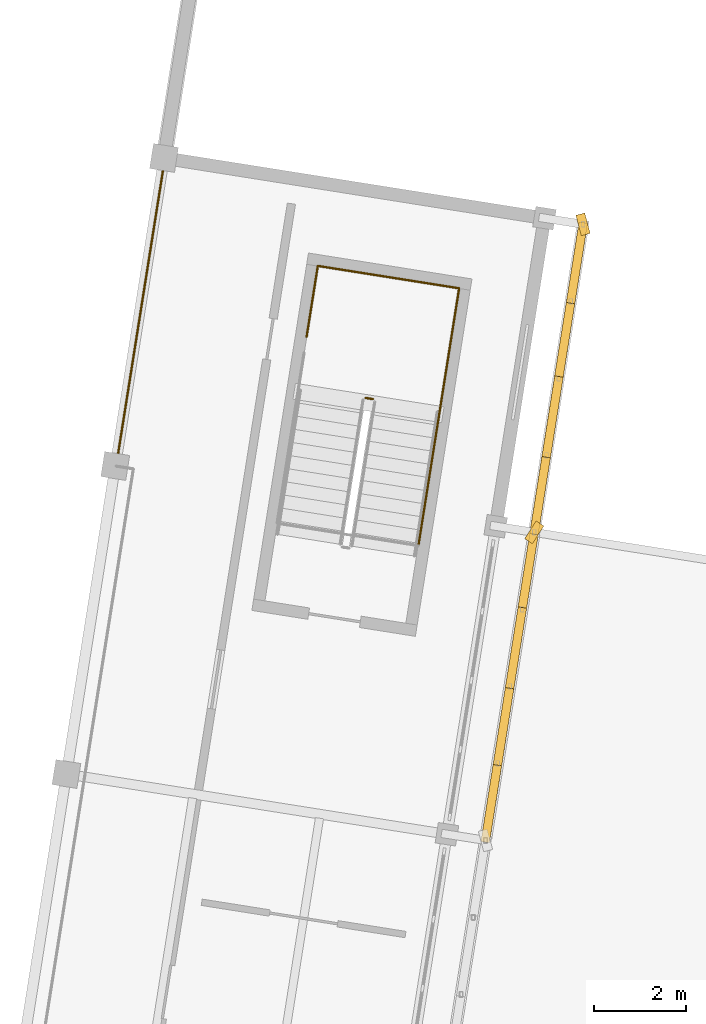
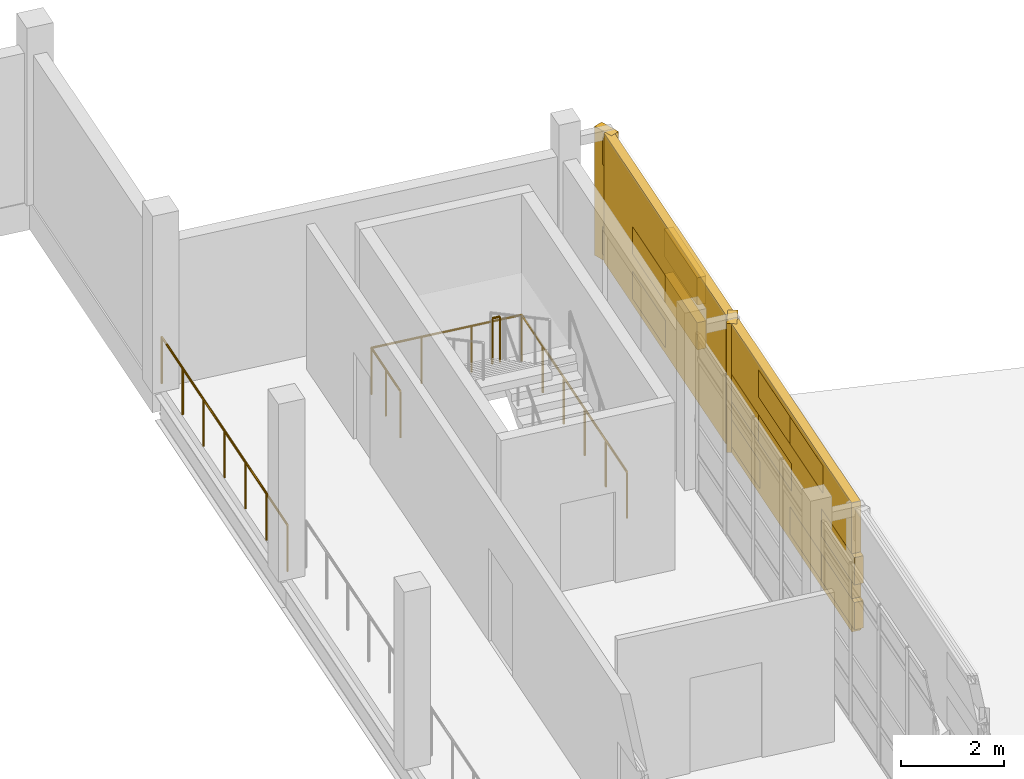
# One storey, part 136 of 137: 18 coverings, 5 railings, 2 shading devices.
"""IFC4 building model written with IfcOpenShell, lengths in metres."""

from ifc_helpers import new_model, si_unit, direction, frame, origin, origin_2d, place, context, subcontext, project, spatial, rectangle, circle, extrude, material, layer, layer_set, type_object, element, save


model = new_model("IFC4")

# Units and contexts
model_context = context("Model", 3, precision=1e-05, world=origin(), true_north=direction((0.0, 1.0)))
body_context = subcontext(model_context, "Body", "Model", "MODEL_VIEW")
ifc_project = project(units=[si_unit("LENGTHUNIT", "METRE"), si_unit("AREAUNIT", "SQUARE_METRE"), si_unit("VOLUMEUNIT", "CUBIC_METRE"), si_unit("PLANEANGLEUNIT", "RADIAN"), si_unit("MASSUNIT", "GRAM", prefix="KILO")], contexts=[model_context])

# Site, building, storey
site_placement = place(None, origin())
site = spatial("IfcSite", under=ifc_project, at=site_placement, CompositionType="ELEMENT")
building_placement = place(site_placement, origin())
building = spatial("IfcBuilding", under=site, at=building_placement, Name="Cinderway Yard Community Centre", CompositionType="ELEMENT")
storey_placement = place(building_placement, frame((0.0, 0.0, 4.800048828125)))
storey = spatial("IfcBuildingStorey", under=building, at=storey_placement, Name="L01", CompositionType="ELEMENT", Elevation=4.800048828125)

# Coverings
ifc_material_1 = material(Name="Brick Masonry", Category="masonry")
ifc_layer = layer(ifc_material_1, 0.18994140625, Name="Brick Masonry")
ifc_layer_set = layer_set([ifc_layer], Name="Brick Masonry")
covering_type = type_object("IfcCoveringType", Name="ENV-COV-BRK-SCREEN", PredefinedType="CLADDING", material=ifc_layer_set)
for number, where, z_axis, x_axis, name in (
    (1, (152.72607421875, 60.0390625, 0.64990234375), (0.0, 0.0, 1.0), (-0.544639035015, -0.838670567945, 0.0), "Deconstructivist folded brick fin 1341"),
    (2, (153.7890625, 66.7548828125, 0.64990234375), (0.0, 0.0, 1.0), (0.258819045103, -0.965925826289, 0.0), "Deconstructivist folded brick fin 1342"),
):
    element("IfcCovering", number, at=place(storey_placement, frame(where, z_axis=z_axis, x_axis=x_axis)), inside=storey, type_object=covering_type, Name=name, PredefinedType="CLADDING", context=body_context, shape_type="SweptSolid", body=[
        extrude(rectangle(XDim=0.4599609375, YDim=0.199951171875, at=origin_2d()), origin(), (0.0, 0.0, 1.0), 3.050048828125),
    ])
for number, where, z_axis, x_axis, name in (
    (3, (151.794921875, 54.1630859375, 0.7900390625), (0.0, 0.0, 1.0), (-0.15643446504, -0.987688340595, 0.0), "Open-bond perforated brick screen course 01359"),
    (4, (152.06103515625, 55.842041015625, 0.7900390625), (0.0, 0.0, 1.0), (-0.15643446504, -0.987688340595, 0.0), "Open-bond perforated brick screen course 01360"),
    (5, (152.593017578125, 59.199951171875, 0.7900390625), (0.0, 0.0, 1.0), (-0.15643446504, -0.987688340595, 0.0), "Open-bond perforated brick screen course 01361"),
    (6, (151.794921875, 54.1630859375, 1.85205078125), (0.0, 0.0, 1.0), (-0.15643446504, -0.987688340595, 0.0), "Open-bond perforated brick screen course 01362"),
    (7, (152.326904296875, 57.52001953125, 1.85205078125), (0.0, 0.0, 1.0), (-0.15643446504, -0.987688340595, 0.0), "Open-bond perforated brick screen course 01363"),
    (8, (152.593017578125, 59.199951171875, 1.85205078125), (0.0, 0.0, 1.0), (-0.15643446504, -0.987688340595, 0.0), "Open-bond perforated brick screen course 01364"),
    (9, (152.06103515625, 55.842041015625, 2.9140625), (0.0, 0.0, 1.0), (-0.15643446504, -0.987688340595, 0.0), "Open-bond perforated brick screen course 01365"),
    (10, (152.326904296875, 57.52001953125, 2.9140625), (0.0, 0.0, 1.0), (-0.15643446504, -0.987688340595, 0.0), "Open-bond perforated brick screen course 01366"),
    (11, (152.85888671875, 60.87890625, 0.7900390625), (0.0, 0.0, 1.0), (-0.15643446504, -0.987688340595, 0.0), "Open-bond perforated brick screen course 01367"),
    (12, (153.389892578125, 64.236083984375, 0.7900390625), (0.0, 0.0, 1.0), (-0.15643446504, -0.987688340595, 0.0), "Open-bond perforated brick screen course 01368"),
    (13, (153.656005859375, 65.9150390625, 0.7900390625), (0.0, 0.0, 1.0), (-0.15643446504, -0.987688340595, 0.0), "Open-bond perforated brick screen course 01369"),
    (14, (153.125, 62.556884765625, 1.85205078125), (0.0, 0.0, 1.0), (-0.15643446504, -0.987688340595, 0.0), "Open-bond perforated brick screen course 01370"),
    (15, (153.389892578125, 64.236083984375, 1.85205078125), (0.0, 0.0, 1.0), (-0.15643446504, -0.987688340595, 0.0), "Open-bond perforated brick screen course 01371"),
    (16, (152.85888671875, 60.87890625, 2.9140625), (0.0, 0.0, 1.0), (-0.15643446504, -0.987688340595, 0.0), "Open-bond perforated brick screen course 01372"),
    (17, (153.125, 62.556884765625, 2.9140625), (0.0, 0.0, 1.0), (-0.15643446504, -0.987688340595, 0.0), "Open-bond perforated brick screen course 01373"),
    (18, (153.656005859375, 65.9150390625, 2.9140625), (0.0, 0.0, 1.0), (-0.15643446504, -0.987688340595, 0.0), "Open-bond perforated brick screen course 01374"),
):
    element("IfcCovering", number, at=place(storey_placement, frame(where, z_axis=z_axis, x_axis=x_axis)), inside=storey, type_object=covering_type, Name=name, PredefinedType="CLADDING", context=body_context, shape_type="SweptSolid", body=[
        extrude(rectangle(XDim=1.780029296875, YDim=0.18994140625, at=origin_2d()), origin(), (0.0, 0.0, 1.0), 0.64599609375),
    ])

# Shading devices
shading_device_type = type_object("IfcShadingDeviceType", Name="ENV-SHD-BRICKSCREEN-A", PredefinedType="USERDEFINED", material=ifc_material_1)
for number, where, z_axis, x_axis, name in (
    (19, (152.194091796875, 56.680908203125, 0.64990234375), (0.0, 0.0, 1.0), (-0.15643446504, -0.987688340595, 0.0), "Sports Hall East Perforated Brick Screen 1032"),
    (20, (153.257080078125, 63.39697265625, 0.64990234375), (0.0, 0.0, 1.0), (-0.15643446504, -0.987688340595, 0.0), "Sports Hall East Perforated Brick Screen 1039"),
):
    element("IfcShadingDevice", number, at=place(storey_placement, frame(where, z_axis=z_axis, x_axis=x_axis)), inside=storey, type_object=shading_device_type, Name=name, ObjectType="PERFORATED BRICK SCREEN", PredefinedType="USERDEFINED", context=body_context, shape_type="SweptSolid", body=[
        extrude(rectangle(XDim=6.60009765625, YDim=0.18994140625, at=origin_2d()), origin(), (0.0, 0.0, 1.0), 3.050048828125),
    ])

# Railings
ifc_material_2 = material(Name="Painted Galvanised Steel", Category="steel")
railing_type_1 = type_object("IfcRailingType", Name="INT-RAL-BAL112", PredefinedType="BALUSTRADE", material=ifc_material_2)
railing_1_placement = place(storey_placement, frame((143.60888671875, 61.48291015625, 0.0)))
element("IfcRailing", 21, at=railing_1_placement, inside=storey, type_object=railing_type_1, Name="Sports Balcony Guard L01 012", PredefinedType="BALUSTRADE", context=body_context, shape_type="SweptSolid", body=[
    extrude(circle(Radius=0.02392578125, at=origin_2d()), frame((0.0, 0.0, 1.09619140625), z_axis=(0.15650460011, 0.987677229739, 0.0), x_axis=(-0.987677229739, 0.15650460011, 0.0)), (0.0, 0.0, 1.0), 6.7998046875),
    extrude(circle(Radius=0.02099609375, at=origin_2d()), origin(), (0.0, 0.0, 1.0), 1.072021484375),
    extrude(circle(Radius=0.02099609375, at=origin_2d()), frame((0.17724609375, 1.119384765625, 0.0)), (0.0, 0.0, 1.0), 1.072021484375),
    extrude(circle(Radius=0.02099609375, at=origin_2d()), frame((0.354736328125, 2.23876953125, 0.0)), (0.0, 0.0, 1.0), 1.072021484375),
    extrude(circle(Radius=0.02099609375, at=origin_2d()), frame((0.5322265625, 3.35791015625, 0.0)), (0.0, 0.0, 1.0), 1.072021484375),
    extrude(circle(Radius=0.02099609375, at=origin_2d()), frame((0.70947265625, 4.477294921875, 0.0)), (0.0, 0.0, 1.0), 1.072021484375),
    extrude(circle(Radius=0.02099609375, at=origin_2d()), frame((0.88671875, 5.5966796875, 0.0)), (0.0, 0.0, 1.0), 1.072021484375),
    extrude(circle(Radius=0.02099609375, at=origin_2d()), frame((1.064208984375, 6.716064453125, 0.0)), (0.0, 0.0, 1.0), 1.072021484375),
])
railing_type_2 = type_object("IfcRailingType", Name="INT-RAL-GRD112", PredefinedType="GUARDRAIL", material=ifc_material_2)
railing_2_placement = place(storey_placement, frame((149.20654296875, 62.9453125, 2.099853515625)))
element("IfcRailing", 22, at=railing_2_placement, inside=storey, type_object=railing_type_2, Name="L01 ST-08 stair guard 2", PredefinedType="GUARDRAIL", context=body_context, shape_type="SweptSolid", body=[
    extrude(circle(Radius=0.02392578125, at=origin_2d()), frame((0.0, 0.0, 1.076171875), z_axis=(-0.987564153079, 0.157216549872, 0.0), x_axis=(-0.157216549872, -0.987564153079, 0.0)), (0.0, 0.0, 1.0), 0.159912109375),
    extrude(circle(Radius=0.02099609375, at=origin_2d()), origin(), (0.0, 0.0, 1.0), 1.052001953125),
    extrude(circle(Radius=0.02099609375, at=origin_2d()), frame((-0.157958984375, 0.025146484375, 0.0)), (0.0, 0.0, 1.0), 1.052001953125),
])
railing_3_placement = place(storey_placement, frame((150.199951171875, 59.7509765625, 0.0)))
element("IfcRailing", 23, at=railing_3_placement, inside=storey, type_object=railing_type_2, Name="Service void perimeter guard L01 066", PredefinedType="GUARDRAIL", context=body_context, shape_type="SweptSolid", body=[
    extrude(circle(Radius=0.02392578125, at=origin_2d()), frame((0.0, 0.0, 1.09619140625), z_axis=(0.156328963289, 0.987705044655, 0.0), x_axis=(-0.987705044655, 0.156328963289, 0.0)), (0.0, 0.0, 1.0), 5.679931640625),
    extrude(circle(Radius=0.02099609375, at=origin_2d()), origin(), (0.0, 0.0, 1.0), 1.072021484375),
    extrude(circle(Radius=0.02099609375, at=origin_2d()), frame((0.177490234375, 1.1220703125, 0.0)), (0.0, 0.0, 1.0), 1.072021484375),
    extrude(circle(Radius=0.02099609375, at=origin_2d()), frame((0.355224609375, 2.244140625, 0.0)), (0.0, 0.0, 1.0), 1.072021484375),
    extrude(circle(Radius=0.02099609375, at=origin_2d()), frame((0.53271484375, 3.365966796875, 0.0)), (0.0, 0.0, 1.0), 1.072021484375),
    extrude(circle(Radius=0.02099609375, at=origin_2d()), frame((0.71044921875, 4.488037109375, 0.0)), (0.0, 0.0, 1.0), 1.072021484375),
    extrude(circle(Radius=0.02099609375, at=origin_2d()), frame((0.887939453125, 5.610107421875, 0.0)), (0.0, 0.0, 1.0), 1.072021484375),
])
railing_4_placement = place(storey_placement, frame((151.087890625, 65.361083984375, 0.0)))
element("IfcRailing", 24, at=railing_4_placement, inside=storey, type_object=railing_type_2, Name="Service void perimeter guard L01 067", PredefinedType="GUARDRAIL", context=body_context, shape_type="SweptSolid", body=[
    extrude(circle(Radius=0.02392578125, at=origin_2d()), frame((0.0, 0.0, 1.09619140625), z_axis=(-0.987691807526, 0.15641257413, 0.0), x_axis=(-0.15641257413, -0.987691807526, 0.0)), (0.0, 0.0, 1.0), 3.1201171875),
    extrude(circle(Radius=0.02099609375, at=origin_2d()), origin(), (0.0, 0.0, 1.0), 1.072021484375),
    extrude(circle(Radius=0.02099609375, at=origin_2d()), frame((-1.02734375, 0.16259765625, 0.0)), (0.0, 0.0, 1.0), 1.072021484375),
    extrude(circle(Radius=0.02099609375, at=origin_2d()), frame((-2.054443359375, 0.325439453125, 0.0)), (0.0, 0.0, 1.0), 1.072021484375),
    extrude(circle(Radius=0.02099609375, at=origin_2d()), frame((-3.081787109375, 0.488037109375, 0.0)), (0.0, 0.0, 1.0), 1.072021484375),
])
railing_5_placement = place(storey_placement, frame((148.006103515625, 65.84912109375, 0.0)))
element("IfcRailing", 25, at=railing_5_placement, inside=storey, type_object=railing_type_2, Name="Service void perimeter guard L01 068", PredefinedType="GUARDRAIL", context=body_context, shape_type="SweptSolid", body=[
    extrude(circle(Radius=0.02392578125, at=origin_2d()), frame((0.0, 0.0, 1.09619140625), z_axis=(-0.15648278507, -0.987680686243, 0.0), x_axis=(0.987680686243, -0.15648278507, 0.0)), (0.0, 0.0, 1.0), 1.56640625),
    extrude(circle(Radius=0.02099609375, at=origin_2d()), origin(), (0.0, 0.0, 1.0), 1.072021484375),
    extrude(circle(Radius=0.02099609375, at=origin_2d()), frame((-0.12255859375, -0.7734375, 0.0)), (0.0, 0.0, 1.0), 1.072021484375),
    extrude(circle(Radius=0.02099609375, at=origin_2d()), frame((-0.2451171875, -1.547119140625, 0.0)), (0.0, 0.0, 1.0), 1.072021484375),
])

save(model, "model.ifc")
